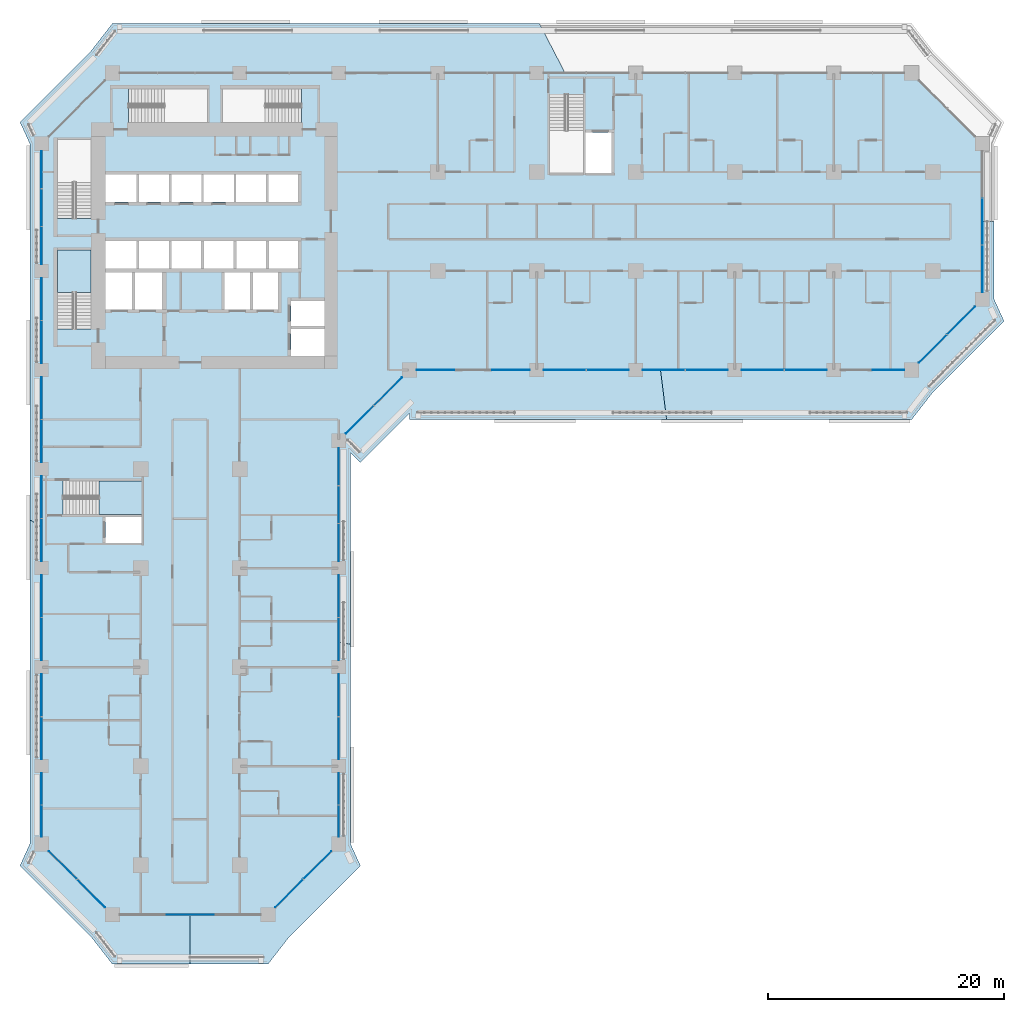
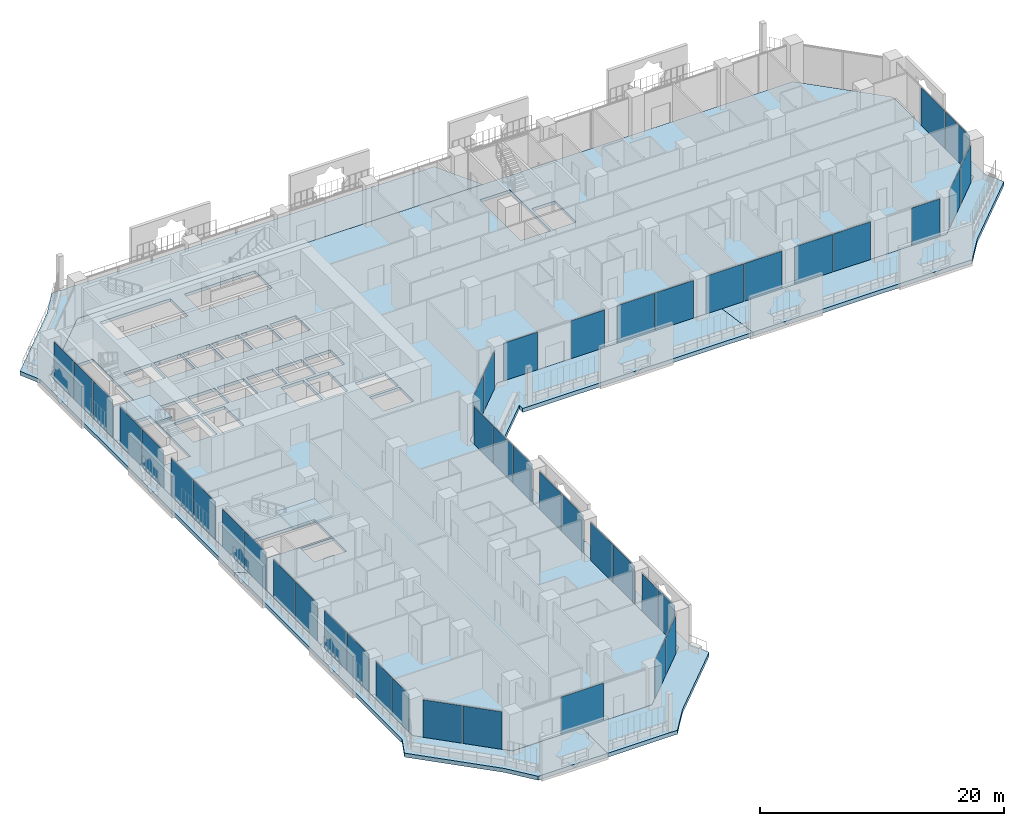
# One storey, part 11 of 27: 44 plates, 8 slabs, 11 elements without a shape of their own.
"""IFC4 building model written with IfcOpenShell, lengths in metres."""

from ifc_helpers import new_model, si_unit, direction, frame, origin, origin_2d, place, context, subcontext, project, spatial, polyline, rectangle, outline, extrude, material, layer, layer_set, type_object, element, aggregate, save


model = new_model("IFC4")

# Units and contexts
model_context = context("Model", 3, precision=1e-05, world=origin(), true_north=direction((0.0, 1.0)))
body_context = subcontext(model_context, "Body", "Model", "MODEL_VIEW")
ifc_project = project(units=[si_unit("LENGTHUNIT", "METRE"), si_unit("AREAUNIT", "SQUARE_METRE"), si_unit("VOLUMEUNIT", "CUBIC_METRE"), si_unit("PLANEANGLEUNIT", "RADIAN"), si_unit("MASSUNIT", "GRAM", prefix="KILO")], contexts=[model_context])

# Site, building, storey
site_placement = place(None, origin())
site = spatial("IfcSite", under=ifc_project, at=site_placement, CompositionType="ELEMENT")
building_placement = place(site_placement, origin())
building = spatial("IfcBuilding", under=site, at=building_placement, Name="Kawkab Arch Medical Tower", CompositionType="ELEMENT")
storey_placement = place(building_placement, frame((0.0, 0.0, 85.39990234375)))
storey = spatial("IfcBuildingStorey", under=building, at=storey_placement, Name="L19", CompositionType="ELEMENT", Elevation=85.39990234375)

# Curtain wall, plates
ifc_material_1 = material(Name="Bronze anodised aluminium curtain wall frame", Category="aluminium")
ifc_layer_1 = layer(ifc_material_1, 0.159912109375)
ifc_layer_set_1 = layer_set([ifc_layer_1], Name="Bronze anodised aluminium curtain wall frame")
curtain_wall_type_1 = type_object("IfcCurtainWallType", Name="CW1 ward curtain wall", PredefinedType="NOTDEFINED", material=ifc_layer_set_1)
placement_1 = place(storey_placement, origin())
curtain_wall_1 = element("IfcCurtainWall", 1, at=placement_1, inside=storey, type_object=curtain_wall_type_1, Name="CW1 Ward curtain wall R01", PredefinedType="NOTDEFINED")
ifc_material_2 = material(Name="Tinted insulating glass, bronze low-e coating", Category="glass")
ifc_layer_2 = layer(ifc_material_2, 0.031982421875)
ifc_layer_set_2 = layer_set([ifc_layer_2], Name="Tinted insulating glass, bronze low-e coating")
plate_type_1 = type_object("IfcPlateType", Name="CW1 glazing unit 32", PredefinedType="CURTAIN_PANEL", material=ifc_layer_set_2)
plate_1_placement = place(storey_placement, frame((0.0, -8.205810546875, 0.0), z_axis=(0.0, 0.0, 1.0), x_axis=(0.0, -1.0, 0.0)))
plate_1 = element("IfcPlate", 2, at=plate_1_placement, type_object=plate_type_1, Name="CW1 glazing unit 1.1", PredefinedType="CURTAIN_PANEL", context=body_context, shape_type="SweptSolid", body=[
    extrude(rectangle(XDim=3.16162109375, YDim=0.031982421875, at=origin_2d()), origin(), (0.0, 0.0, 1.0), 3.780029296875),
])
plate_2_placement = place(storey_placement, frame((0.0, -11.41259765625, 0.0), z_axis=(0.0, 0.0, 1.0), x_axis=(0.0, -1.0, 0.0)))
plate_2 = element("IfcPlate", 3, at=plate_2_placement, type_object=plate_type_1, Name="CW1 glazing unit 1.2", PredefinedType="CURTAIN_PANEL", context=body_context, shape_type="SweptSolid", body=[
    extrude(rectangle(XDim=3.131591796875, YDim=0.031982421875, at=origin_2d()), origin(), (0.0, 0.0, 1.0), 3.780029296875),
])
plate_3_placement = place(storey_placement, frame((0.0, -14.619140625, 0.0), z_axis=(0.0, 0.0, 1.0), x_axis=(0.0, -1.0, 0.0)))
plate_3 = element("IfcPlate", 4, at=plate_3_placement, type_object=plate_type_1, Name="CW1 glazing unit 1.3", PredefinedType="CURTAIN_PANEL", context=body_context, shape_type="SweptSolid", body=[
    extrude(rectangle(XDim=3.16162109375, YDim=0.031982421875, at=origin_2d()), origin(), (0.0, 0.0, 1.0), 3.780029296875),
])
plate_4_placement = place(storey_placement, frame((0.0, -19.18505859375, 0.0), z_axis=(0.0, 0.0, 1.0), x_axis=(0.0, -1.0, 0.0)))
plate_4 = element("IfcPlate", 5, at=plate_4_placement, type_object=plate_type_1, Name="CW1 glazing unit 2.1", PredefinedType="CURTAIN_PANEL", context=body_context, shape_type="SweptSolid", body=[
    extrude(rectangle(XDim=3.570068359375, YDim=0.031982421875, at=origin_2d()), origin(), (0.0, 0.0, 1.0), 3.780029296875),
])
plate_5_placement = place(storey_placement, frame((0.0, -22.81494140625, 0.0), z_axis=(0.0, 0.0, 1.0), x_axis=(0.0, -1.0, 0.0)))
plate_5 = element("IfcPlate", 6, at=plate_5_placement, type_object=plate_type_1, Name="CW1 glazing unit 2.2", PredefinedType="CURTAIN_PANEL", context=body_context, shape_type="SweptSolid", body=[
    extrude(rectangle(XDim=3.570068359375, YDim=0.031982421875, at=origin_2d()), origin(), (0.0, 0.0, 1.0), 3.780029296875),
])
plate_6_placement = place(storey_placement, frame((0.0, -27.5849609375, 0.0), z_axis=(0.0, 0.0, 1.0), x_axis=(0.0, -1.0, 0.0)))
plate_6 = element("IfcPlate", 7, at=plate_6_placement, type_object=plate_type_1, Name="CW1 glazing unit 3.1", PredefinedType="CURTAIN_PANEL", context=body_context, shape_type="SweptSolid", body=[
    extrude(rectangle(XDim=3.570068359375, YDim=0.031982421875, at=origin_2d()), origin(), (0.0, 0.0, 1.0), 3.780029296875),
])
plate_7_placement = place(storey_placement, frame((0.0, -31.215087890625, 0.0), z_axis=(0.0, 0.0, 1.0), x_axis=(0.0, -1.0, 0.0)))
plate_7 = element("IfcPlate", 8, at=plate_7_placement, type_object=plate_type_1, Name="CW1 glazing unit 3.2", PredefinedType="CURTAIN_PANEL", context=body_context, shape_type="SweptSolid", body=[
    extrude(rectangle(XDim=3.570068359375, YDim=0.031982421875, at=origin_2d()), origin(), (0.0, 0.0, 1.0), 3.780029296875),
])
plate_8_placement = place(storey_placement, frame((0.0, -35.985107421875, 0.0), z_axis=(0.0, 0.0, 1.0), x_axis=(0.0, -1.0, 0.0)))
plate_8 = element("IfcPlate", 9, at=plate_8_placement, type_object=plate_type_1, Name="CW1 glazing unit 4.1", PredefinedType="CURTAIN_PANEL", context=body_context, shape_type="SweptSolid", body=[
    extrude(rectangle(XDim=3.570068359375, YDim=0.031982421875, at=origin_2d()), origin(), (0.0, 0.0, 1.0), 3.780029296875),
])
plate_9_placement = place(storey_placement, frame((0.0, -39.614990234375, 0.0), z_axis=(0.0, 0.0, 1.0), x_axis=(0.0, -1.0, 0.0)))
plate_9 = element("IfcPlate", 10, at=plate_9_placement, type_object=plate_type_1, Name="CW1 glazing unit 4.2", PredefinedType="CURTAIN_PANEL", context=body_context, shape_type="SweptSolid", body=[
    extrude(rectangle(XDim=3.570068359375, YDim=0.031982421875, at=origin_2d()), origin(), (0.0, 0.0, 1.0), 3.780029296875),
])
plate_10_placement = place(storey_placement, frame((0.0, -44.385009765625, 0.0), z_axis=(0.0, 0.0, 1.0), x_axis=(0.0, -1.0, 0.0)))
plate_10 = element("IfcPlate", 11, at=plate_10_placement, type_object=plate_type_1, Name="CW1 glazing unit 5.1", PredefinedType="CURTAIN_PANEL", context=body_context, shape_type="SweptSolid", body=[
    extrude(rectangle(XDim=3.570068359375, YDim=0.031982421875, at=origin_2d()), origin(), (0.0, 0.0, 1.0), 3.780029296875),
])
plate_11_placement = place(storey_placement, frame((0.0, -48.014892578125, 0.0), z_axis=(0.0, 0.0, 1.0), x_axis=(0.0, -1.0, 0.0)))
plate_11 = element("IfcPlate", 12, at=plate_11_placement, type_object=plate_type_1, Name="CW1 glazing unit 5.2", PredefinedType="CURTAIN_PANEL", context=body_context, shape_type="SweptSolid", body=[
    extrude(rectangle(XDim=3.570068359375, YDim=0.031982421875, at=origin_2d()), origin(), (0.0, 0.0, 1.0), 3.780029296875),
])
plate_12_placement = place(storey_placement, frame((0.0, -52.784912109375, 0.0), z_axis=(0.0, 0.0, 1.0), x_axis=(0.0, -1.0, 0.0)))
plate_12 = element("IfcPlate", 13, at=plate_12_placement, type_object=plate_type_1, Name="CW1 glazing unit 6.1", PredefinedType="CURTAIN_PANEL", context=body_context, shape_type="SweptSolid", body=[
    extrude(rectangle(XDim=3.570068359375, YDim=0.031982421875, at=origin_2d()), origin(), (0.0, 0.0, 1.0), 3.780029296875),
])
plate_13_placement = place(storey_placement, frame((0.0, -56.4150390625, 0.0), z_axis=(0.0, 0.0, 1.0), x_axis=(0.0, -1.0, 0.0)))
plate_13 = element("IfcPlate", 14, at=plate_13_placement, type_object=plate_type_1, Name="CW1 glazing unit 6.2", PredefinedType="CURTAIN_PANEL", context=body_context, shape_type="SweptSolid", body=[
    extrude(rectangle(XDim=3.570068359375, YDim=0.031982421875, at=origin_2d()), origin(), (0.0, 0.0, 1.0), 3.780029296875),
])
plate_14_placement = place(storey_placement, frame((0.0, -60.728759765625, 0.0), z_axis=(0.0, 0.0, 1.0), x_axis=(0.0, -1.0, 0.0)))
plate_14 = element("IfcPlate", 15, at=plate_14_placement, type_object=plate_type_1, Name="CW1 glazing unit 7.1", PredefinedType="CURTAIN_PANEL", context=body_context, shape_type="SweptSolid", body=[
    extrude(rectangle(XDim=2.657470703125, YDim=0.031982421875, at=origin_2d()), origin(), (0.0, 0.0, 1.0), 3.780029296875),
])
plate_15_placement = place(storey_placement, frame((0.0, -63.4462890625, 0.0), z_axis=(0.0, 0.0, 1.0), x_axis=(0.0, -1.0, 0.0)))
plate_15 = element("IfcPlate", 16, at=plate_15_placement, type_object=plate_type_1, Name="CW1 glazing unit 7.2", PredefinedType="CURTAIN_PANEL", context=body_context, shape_type="SweptSolid", body=[
    extrude(rectangle(XDim=2.657470703125, YDim=0.031982421875, at=origin_2d()), origin(), (0.0, 0.0, 1.0), 3.780029296875),
])
aggregate(curtain_wall_1, [plate_1, plate_2, plate_3, plate_4, plate_5, plate_6, plate_7, plate_8, plate_9, plate_10, plate_11, plate_12, plate_13, plate_14, plate_15])

# Curtain wall, plate
curtain_wall_2 = element("IfcCurtainWall", 17, at=placement_1, inside=storey, type_object=curtain_wall_type_1, Name="CW1 Ward curtain wall R03", PredefinedType="NOTDEFINED")
plate_16_placement = place(storey_placement, frame((12.60009765625, -71.39990234375, 0.0), z_axis=(0.0, 0.0, 1.0), x_axis=(1.0, 0.0, 0.0)))
plate_16 = element("IfcPlate", 18, at=plate_16_placement, type_object=plate_type_1, Name="CW1 glazing unit 1.2", PredefinedType="CURTAIN_PANEL", context=body_context, shape_type="SweptSolid", body=[
    extrude(rectangle(XDim=3.9833984375, YDim=0.031982421875, at=origin_2d()), origin(), (0.0, 0.0, 1.0), 3.780029296875),
])
aggregate(curtain_wall_2, [plate_16])

# Curtain wall, plates
curtain_wall_3 = element("IfcCurtainWall", 19, at=placement_1, inside=storey, type_object=curtain_wall_type_1, Name="CW1 Ward curtain wall R05", PredefinedType="NOTDEFINED")
plate_17_placement = place(storey_placement, frame((25.199951171875, -63.4462890625, 0.0), z_axis=(0.0, 0.0, 1.0), x_axis=(0.0, 1.0, 0.0)))
plate_17 = element("IfcPlate", 20, at=plate_17_placement, type_object=plate_type_1, Name="CW1 glazing unit 1.1", PredefinedType="CURTAIN_PANEL", context=body_context, shape_type="SweptSolid", body=[
    extrude(rectangle(XDim=2.657470703125, YDim=0.031982421875, at=origin_2d()), origin(), (0.0, 0.0, 1.0), 3.780029296875),
])
plate_18_placement = place(storey_placement, frame((25.199951171875, -60.728759765625, 0.0), z_axis=(0.0, 0.0, 1.0), x_axis=(0.0, 1.0, 0.0)))
plate_18 = element("IfcPlate", 21, at=plate_18_placement, type_object=plate_type_1, Name="CW1 glazing unit 1.2", PredefinedType="CURTAIN_PANEL", context=body_context, shape_type="SweptSolid", body=[
    extrude(rectangle(XDim=2.657470703125, YDim=0.031982421875, at=origin_2d()), origin(), (0.0, 0.0, 1.0), 3.780029296875),
])
plate_19_placement = place(storey_placement, frame((25.199951171875, -56.4150390625, 0.0), z_axis=(0.0, 0.0, 1.0), x_axis=(0.0, 1.0, 0.0)))
plate_19 = element("IfcPlate", 22, at=plate_19_placement, type_object=plate_type_1, Name="CW1 glazing unit 2.1", PredefinedType="CURTAIN_PANEL", context=body_context, shape_type="SweptSolid", body=[
    extrude(rectangle(XDim=3.570068359375, YDim=0.031982421875, at=origin_2d()), origin(), (0.0, 0.0, 1.0), 3.780029296875),
])
plate_20_placement = place(storey_placement, frame((25.199951171875, -52.784912109375, 0.0), z_axis=(0.0, 0.0, 1.0), x_axis=(0.0, 1.0, 0.0)))
plate_20 = element("IfcPlate", 23, at=plate_20_placement, type_object=plate_type_1, Name="CW1 glazing unit 2.2", PredefinedType="CURTAIN_PANEL", context=body_context, shape_type="SweptSolid", body=[
    extrude(rectangle(XDim=3.570068359375, YDim=0.031982421875, at=origin_2d()), origin(), (0.0, 0.0, 1.0), 3.780029296875),
])
plate_21_placement = place(storey_placement, frame((25.199951171875, -48.014892578125, 0.0), z_axis=(0.0, 0.0, 1.0), x_axis=(0.0, 1.0, 0.0)))
plate_21 = element("IfcPlate", 24, at=plate_21_placement, type_object=plate_type_1, Name="CW1 glazing unit 3.1", PredefinedType="CURTAIN_PANEL", context=body_context, shape_type="SweptSolid", body=[
    extrude(rectangle(XDim=3.570068359375, YDim=0.031982421875, at=origin_2d()), origin(), (0.0, 0.0, 1.0), 3.780029296875),
])
plate_22_placement = place(storey_placement, frame((25.199951171875, -44.385009765625, 0.0), z_axis=(0.0, 0.0, 1.0), x_axis=(0.0, 1.0, 0.0)))
plate_22 = element("IfcPlate", 25, at=plate_22_placement, type_object=plate_type_1, Name="CW1 glazing unit 3.2", PredefinedType="CURTAIN_PANEL", context=body_context, shape_type="SweptSolid", body=[
    extrude(rectangle(XDim=3.570068359375, YDim=0.031982421875, at=origin_2d()), origin(), (0.0, 0.0, 1.0), 3.780029296875),
])
plate_23_placement = place(storey_placement, frame((25.199951171875, -39.819091796875, 0.0), z_axis=(0.0, 0.0, 1.0), x_axis=(0.0, 1.0, 0.0)))
plate_23 = element("IfcPlate", 26, at=plate_23_placement, type_object=plate_type_1, Name="CW1 glazing unit 4.1", PredefinedType="CURTAIN_PANEL", context=body_context, shape_type="SweptSolid", body=[
    extrude(rectangle(XDim=3.16162109375, YDim=0.031982421875, at=origin_2d()), origin(), (0.0, 0.0, 1.0), 3.780029296875),
])
plate_24_placement = place(storey_placement, frame((25.199951171875, -36.612548828125, 0.0), z_axis=(0.0, 0.0, 1.0), x_axis=(0.0, 1.0, 0.0)))
plate_24 = element("IfcPlate", 27, at=plate_24_placement, type_object=plate_type_1, Name="CW1 glazing unit 4.2", PredefinedType="CURTAIN_PANEL", context=body_context, shape_type="SweptSolid", body=[
    extrude(rectangle(XDim=3.131591796875, YDim=0.031982421875, at=origin_2d()), origin(), (0.0, 0.0, 1.0), 3.780029296875),
])
plate_25_placement = place(storey_placement, frame((25.199951171875, -33.40576171875, 0.0), z_axis=(0.0, 0.0, 1.0), x_axis=(0.0, 1.0, 0.0)))
plate_25 = element("IfcPlate", 28, at=plate_25_placement, type_object=plate_type_1, Name="CW1 glazing unit 4.3", PredefinedType="CURTAIN_PANEL", context=body_context, shape_type="SweptSolid", body=[
    extrude(rectangle(XDim=3.16162109375, YDim=0.031982421875, at=origin_2d()), origin(), (0.0, 0.0, 1.0), 3.780029296875),
])
aggregate(curtain_wall_3, [plate_17, plate_18, plate_19, plate_20, plate_21, plate_22, plate_23, plate_24, plate_25])

curtain_wall_4 = element("IfcCurtainWall", 29, at=placement_1, inside=storey, type_object=curtain_wall_type_1, Name="CW1 Ward curtain wall R07", PredefinedType="NOTDEFINED")
plate_26_placement = place(storey_placement, frame((33.4208984375, -25.199951171875, 0.0), z_axis=(0.0, 0.0, 1.0), x_axis=(1.0, 0.0, 0.0)))
plate_26 = element("IfcPlate", 30, at=plate_26_placement, type_object=plate_type_1, Name="CW1 glazing unit 1.1", PredefinedType="CURTAIN_PANEL", context=body_context, shape_type="SweptSolid", body=[
    extrude(rectangle(XDim=3.191650390625, YDim=0.031982421875, at=origin_2d()), origin(), (0.0, 0.0, 1.0), 3.780029296875),
])
plate_27_placement = place(storey_placement, frame((39.80419921875, -25.199951171875, 0.0), z_axis=(0.0, 0.0, 1.0), x_axis=(1.0, 0.0, 0.0)))
plate_27 = element("IfcPlate", 31, at=plate_27_placement, type_object=plate_type_1, Name="CW1 glazing unit 1.3", PredefinedType="CURTAIN_PANEL", context=body_context, shape_type="SweptSolid", body=[
    extrude(rectangle(XDim=3.191650390625, YDim=0.031982421875, at=origin_2d()), origin(), (0.0, 0.0, 1.0), 3.780029296875),
])
plate_28_placement = place(storey_placement, frame((44.385009765625, -25.199951171875, 0.0), z_axis=(0.0, 0.0, 1.0), x_axis=(1.0, 0.0, 0.0)))
plate_28 = element("IfcPlate", 32, at=plate_28_placement, type_object=plate_type_1, Name="CW1 glazing unit 2.1", PredefinedType="CURTAIN_PANEL", context=body_context, shape_type="SweptSolid", body=[
    extrude(rectangle(XDim=3.570068359375, YDim=0.031982421875, at=origin_2d()), origin(), (0.0, 0.0, 1.0), 3.780029296875),
])
plate_29_placement = place(storey_placement, frame((48.014892578125, -25.199951171875, 0.0), z_axis=(0.0, 0.0, 1.0), x_axis=(1.0, 0.0, 0.0)))
plate_29 = element("IfcPlate", 33, at=plate_29_placement, type_object=plate_type_1, Name="CW1 glazing unit 2.2", PredefinedType="CURTAIN_PANEL", context=body_context, shape_type="SweptSolid", body=[
    extrude(rectangle(XDim=3.570068359375, YDim=0.031982421875, at=origin_2d()), origin(), (0.0, 0.0, 1.0), 3.780029296875),
])
plate_30_placement = place(storey_placement, frame((52.784912109375, -25.199951171875, 0.0), z_axis=(0.0, 0.0, 1.0), x_axis=(1.0, 0.0, 0.0)))
plate_30 = element("IfcPlate", 34, at=plate_30_placement, type_object=plate_type_1, Name="CW1 glazing unit 3.1", PredefinedType="CURTAIN_PANEL", context=body_context, shape_type="SweptSolid", body=[
    extrude(rectangle(XDim=3.570068359375, YDim=0.031982421875, at=origin_2d()), origin(), (0.0, 0.0, 1.0), 3.780029296875),
])
plate_31_placement = place(storey_placement, frame((56.4150390625, -25.199951171875, 0.0), z_axis=(0.0, 0.0, 1.0), x_axis=(1.0, 0.0, 0.0)))
plate_31 = element("IfcPlate", 35, at=plate_31_placement, type_object=plate_type_1, Name="CW1 glazing unit 3.2", PredefinedType="CURTAIN_PANEL", context=body_context, shape_type="SweptSolid", body=[
    extrude(rectangle(XDim=3.570068359375, YDim=0.031982421875, at=origin_2d()), origin(), (0.0, 0.0, 1.0), 3.780029296875),
])
plate_32_placement = place(storey_placement, frame((61.18505859375, -25.199951171875, 0.0), z_axis=(0.0, 0.0, 1.0), x_axis=(1.0, 0.0, 0.0)))
plate_32 = element("IfcPlate", 36, at=plate_32_placement, type_object=plate_type_1, Name="CW1 glazing unit 4.1", PredefinedType="CURTAIN_PANEL", context=body_context, shape_type="SweptSolid", body=[
    extrude(rectangle(XDim=3.570068359375, YDim=0.031982421875, at=origin_2d()), origin(), (0.0, 0.0, 1.0), 3.780029296875),
])
plate_33_placement = place(storey_placement, frame((64.81494140625, -25.199951171875, 0.0), z_axis=(0.0, 0.0, 1.0), x_axis=(1.0, 0.0, 0.0)))
plate_33 = element("IfcPlate", 37, at=plate_33_placement, type_object=plate_type_1, Name="CW1 glazing unit 4.2", PredefinedType="CURTAIN_PANEL", context=body_context, shape_type="SweptSolid", body=[
    extrude(rectangle(XDim=3.570068359375, YDim=0.031982421875, at=origin_2d()), origin(), (0.0, 0.0, 1.0), 3.780029296875),
])
plate_34_placement = place(storey_placement, frame((71.831298828125, -25.199951171875, 0.0), z_axis=(0.0, 0.0, 1.0), x_axis=(1.0, 0.0, 0.0)))
plate_34 = element("IfcPlate", 38, at=plate_34_placement, type_object=plate_type_1, Name="CW1 glazing unit 5.2", PredefinedType="CURTAIN_PANEL", context=body_context, shape_type="SweptSolid", body=[
    extrude(rectangle(XDim=2.6875, YDim=0.031982421875, at=origin_2d()), origin(), (0.0, 0.0, 1.0), 3.780029296875),
])
aggregate(curtain_wall_4, [plate_26, plate_27, plate_28, plate_29, plate_30, plate_31, plate_32, plate_33, plate_34])

curtain_wall_5 = element("IfcCurtainWall", 39, at=placement_1, inside=storey, type_object=curtain_wall_type_1, Name="CW1 Ward curtain wall R09", PredefinedType="NOTDEFINED")
plate_35_placement = place(storey_placement, frame((79.800048828125, -16.598388671875, 0.0), z_axis=(0.0, 0.0, 1.0), x_axis=(0.0, 1.0, 0.0)))
plate_35 = element("IfcPlate", 40, at=plate_35_placement, type_object=plate_type_1, Name="CW1 glazing unit 1.1", PredefinedType="CURTAIN_PANEL", context=body_context, shape_type="SweptSolid", body=[
    extrude(rectangle(XDim=3.953369140625, YDim=0.031982421875, at=origin_2d()), origin(), (0.0, 0.0, 1.0), 3.780029296875),
])
plate_36_placement = place(storey_placement, frame((79.800048828125, -12.60009765625, 0.0), z_axis=(0.0, 0.0, 1.0), x_axis=(0.0, 1.0, 0.0)))
plate_36 = element("IfcPlate", 41, at=plate_36_placement, type_object=plate_type_1, Name="CW1 glazing unit 1.2", PredefinedType="CURTAIN_PANEL", context=body_context, shape_type="SweptSolid", body=[
    extrude(rectangle(XDim=3.92333984375, YDim=0.031982421875, at=origin_2d()), origin(), (0.0, 0.0, 1.0), 3.780029296875),
])
aggregate(curtain_wall_5, [plate_35, plate_36])

ifc_material_3 = material(Name="Bronze anodised aluminium curtain wall frame", Category="aluminium")
ifc_layer_3 = layer(ifc_material_3, 0.159912109375)
ifc_layer_set_3 = layer_set([ifc_layer_3], Name="Bronze anodised aluminium curtain wall frame")
curtain_wall_type_2 = type_object("IfcCurtainWallType", Name="CW2 chamfer curtain wall", PredefinedType="NOTDEFINED", material=ifc_layer_set_3)
curtain_wall_6 = element("IfcCurtainWall", 42, at=placement_1, inside=storey, type_object=curtain_wall_type_2, Name="CW2 Chamfer curtain wall R02", PredefinedType="NOTDEFINED")
ifc_material_4 = material(Name="Tinted insulating glass, bronze low-e coating", Category="glass")
ifc_layer_4 = layer(ifc_material_4, 0.031982421875)
ifc_layer_set_4 = layer_set([ifc_layer_4], Name="Tinted insulating glass, bronze low-e coating")
plate_type_2 = type_object("IfcPlateType", Name="CW2 glazing unit 32", PredefinedType="CURTAIN_PANEL", material=ifc_layer_set_4)
plate_37_placement = place(storey_placement, frame((1.802001953125, -67.201904296875, 0.0), z_axis=(0.0, 0.0, 1.0), x_axis=(0.707106781187, -0.707106781187, 0.0)))
plate_37 = element("IfcPlate", 43, at=plate_37_placement, type_object=plate_type_2, Name="CW2 glazing unit 1.1", PredefinedType="CURTAIN_PANEL", context=body_context, shape_type="SweptSolid", body=[
    extrude(rectangle(XDim=3.328857421875, YDim=0.031982421875, at=origin_2d()), origin(), (0.0, 0.0, 1.0), 3.760009765625),
])
plate_38_placement = place(storey_placement, frame((4.197998046875, -69.59814453125, 0.0), z_axis=(0.0, 0.0, 1.0), x_axis=(0.707106781187, -0.707106781187, 0.0)))
plate_38 = element("IfcPlate", 44, at=plate_38_placement, type_object=plate_type_2, Name="CW2 glazing unit 1.2", PredefinedType="CURTAIN_PANEL", context=body_context, shape_type="SweptSolid", body=[
    extrude(rectangle(XDim=3.328857421875, YDim=0.031982421875, at=origin_2d()), origin(), (0.0, 0.0, 1.0), 3.760009765625),
])
aggregate(curtain_wall_6, [plate_37, plate_38])

curtain_wall_7 = element("IfcCurtainWall", 45, at=placement_1, inside=storey, type_object=curtain_wall_type_2, Name="CW2 Chamfer curtain wall R04", PredefinedType="NOTDEFINED")
plate_39_placement = place(storey_placement, frame((21.001953125, -69.59814453125, 0.0), z_axis=(0.0, 0.0, 1.0), x_axis=(0.707106781187, 0.707106781187, 0.0)))
plate_39 = element("IfcPlate", 46, at=plate_39_placement, type_object=plate_type_2, Name="CW2 glazing unit 1.1", PredefinedType="CURTAIN_PANEL", context=body_context, shape_type="SweptSolid", body=[
    extrude(rectangle(XDim=3.328857421875, YDim=0.031982421875, at=origin_2d()), origin(), (0.0, 0.0, 1.0), 3.760009765625),
])
plate_40_placement = place(storey_placement, frame((23.398193359375, -67.201904296875, 0.0), z_axis=(0.0, 0.0, 1.0), x_axis=(0.707106781187, 0.707106781187, 0.0)))
plate_40 = element("IfcPlate", 47, at=plate_40_placement, type_object=plate_type_2, Name="CW2 glazing unit 1.2", PredefinedType="CURTAIN_PANEL", context=body_context, shape_type="SweptSolid", body=[
    extrude(rectangle(XDim=3.328857421875, YDim=0.031982421875, at=origin_2d()), origin(), (0.0, 0.0, 1.0), 3.760009765625),
])
aggregate(curtain_wall_7, [plate_39, plate_40])

curtain_wall_8 = element("IfcCurtainWall", 48, at=placement_1, inside=storey, type_object=curtain_wall_type_2, Name="CW2 Chamfer curtain wall R06", PredefinedType="NOTDEFINED")
plate_41_placement = place(storey_placement, frame((27.001953125, -29.398193359375, 0.0), z_axis=(0.0, 0.0, 1.0), x_axis=(0.707106781187, 0.707106781187, 0.0)))
plate_41 = element("IfcPlate", 49, at=plate_41_placement, type_object=plate_type_2, Name="CW2 glazing unit 1.1", PredefinedType="CURTAIN_PANEL", context=body_context, shape_type="SweptSolid", body=[
    extrude(rectangle(XDim=3.328857421875, YDim=0.031982421875, at=origin_2d()), origin(), (0.0, 0.0, 1.0), 3.760009765625),
])
plate_42_placement = place(storey_placement, frame((29.398193359375, -27.001953125, 0.0), z_axis=(0.0, 0.0, 1.0), x_axis=(0.707106781187, 0.707106781187, 0.0)))
plate_42 = element("IfcPlate", 50, at=plate_42_placement, type_object=plate_type_2, Name="CW2 glazing unit 1.2", PredefinedType="CURTAIN_PANEL", context=body_context, shape_type="SweptSolid", body=[
    extrude(rectangle(XDim=3.328857421875, YDim=0.031982421875, at=origin_2d()), origin(), (0.0, 0.0, 1.0), 3.760009765625),
])
aggregate(curtain_wall_8, [plate_41, plate_42])

curtain_wall_9 = element("IfcCurtainWall", 51, at=placement_1, inside=storey, type_object=curtain_wall_type_2, Name="CW2 Chamfer curtain wall R08", PredefinedType="NOTDEFINED")
plate_43_placement = place(storey_placement, frame((75.601806640625, -23.398193359375, 0.0), z_axis=(0.0, 0.0, 1.0), x_axis=(0.707106781187, 0.707106781187, 0.0)))
plate_43 = element("IfcPlate", 52, at=plate_43_placement, type_object=plate_type_2, Name="CW2 glazing unit 1.1", PredefinedType="CURTAIN_PANEL", context=body_context, shape_type="SweptSolid", body=[
    extrude(rectangle(XDim=3.328857421875, YDim=0.031982421875, at=origin_2d()), origin(), (0.0, 0.0, 1.0), 3.760009765625),
])
plate_44_placement = place(storey_placement, frame((77.998046875, -21.001953125, 0.0), z_axis=(0.0, 0.0, 1.0), x_axis=(0.707106781187, 0.707106781187, 0.0)))
plate_44 = element("IfcPlate", 53, at=plate_44_placement, type_object=plate_type_2, Name="CW2 glazing unit 1.2", PredefinedType="CURTAIN_PANEL", context=body_context, shape_type="SweptSolid", body=[
    extrude(rectangle(XDim=3.328857421875, YDim=0.031982421875, at=origin_2d()), origin(), (0.0, 0.0, 1.0), 3.760009765625),
])
aggregate(curtain_wall_9, [plate_43, plate_44])

# Stair, slab
ifc_material_5 = material(Name="Concrete C40/50", Category="concrete")
stair_type = type_object("IfcStairType", Name="Exit stair 1350", PredefinedType="HALF_TURN_STAIR", material=ifc_material_5)
stair_1 = element("IfcStair", 54, at=placement_1, inside=storey, type_object=stair_type, Name="L19 Exit stair ST2", PredefinedType="HALF_TURN_STAIR")
ifc_material_6 = material(Name="Concrete C40/50", Category="concrete")
ifc_layer_5 = layer(ifc_material_6, 0.199951171875)
ifc_layer_set_5 = layer_set([ifc_layer_5], Name="Concrete C40/50")
slab_type_1 = type_object("IfcSlabType", Name="Exit stair landing 200", PredefinedType="LANDING", material=ifc_layer_set_5)
placement_2 = place(storey_placement, frame((0.0, 0.0, 1.900146484375)))
slab_1 = element("IfcSlab", 55, at=placement_2, type_object=slab_type_1, Name="ST2 landing 1", PredefinedType="LANDING", context=body_context, shape_type="SweptSolid", body=[
    extrude(outline(polyline([(4.199951171875, -18.6201171875), (4.199951171875, -15.0), (1.35009765625, -15.0), (1.35009765625, -18.6201171875), (4.199951171875, -18.6201171875)])), origin(), (0.0, 0.0, 1.0), 0.199951171875),
])
aggregate(stair_1, [slab_1])

stair_2 = element("IfcStair", 56, at=placement_1, inside=storey, type_object=stair_type, Name="L19 Exit stair ST6", PredefinedType="HALF_TURN_STAIR")
slab_2 = element("IfcSlab", 57, at=placement_2, type_object=slab_type_1, Name="ST6 landing 1", PredefinedType="LANDING", context=body_context, shape_type="SweptSolid", body=[
    extrude(outline(polyline([(4.8798828125, -37.449951171875), (8.5, -37.449951171875), (8.5, -34.60009765625), (4.8798828125, -34.60009765625), (4.8798828125, -37.449951171875)])), origin(), (0.0, 0.0, 1.0), 0.199951171875),
])
aggregate(stair_2, [slab_2])

# Slabs
ifc_material_7 = material(Name="Concrete C40/50", Category="concrete")
ifc_layer_6 = layer(ifc_material_7, 0.300048828125)
ifc_layer_set_6 = layer_set([ifc_layer_6], Name="Concrete C40/50")
slab_type_2 = type_object("IfcSlabType", Name="Flat plate 300 C40/50", PredefinedType="FLOOR", material=ifc_layer_set_6)
slab_3_placement = place(storey_placement, frame((0.0, 0.0, -0.2998046875)))
element("IfcSlab", 58, at=slab_3_placement, inside=storey, type_object=slab_type_2, Name="Floor slab L19", PredefinedType="FLOOR", context=body_context, shape_type="SweptSolid", body=[
    extrude(outline(polyline([(6.0, 0.0), (73.800048828125, 0.0), (79.800048828125, -6.0), (79.800048828125, -19.199951171875), (73.800048828125, -25.199951171875), (31.199951171875, -25.199951171875), (25.199951171875, -31.199951171875), (25.199951171875, -65.39990234375), (19.199951171875, -71.39990234375), (6.0, -71.39990234375), (0.0, -65.39990234375), (0.0, -6.0), (6.0, 0.0)]), holes=[polyline([(5.425048828125, -37.64990234375), (5.425048828125, -39.85009765625), (8.5, -39.85009765625), (8.5, -37.64990234375), (5.425048828125, -37.64990234375)]), polyline([(1.800048828125, -37.449951171875), (8.5, -37.449951171875), (8.5, -34.60009765625), (1.800048828125, -34.60009765625), (1.800048828125, -37.449951171875)]), polyline([(5.39990234375, -16.89990234375), (5.39990234375, -20.050048828125), (7.675048828125, -20.050048828125), (7.675048828125, -16.89990234375), (5.39990234375, -16.89990234375)]), polyline([(10.199951171875, -16.89990234375), (7.925048828125, -16.89990234375), (7.925048828125, -20.050048828125), (10.199951171875, -20.050048828125), (10.199951171875, -16.89990234375)]), polyline([(4.199951171875, -21.699951171875), (4.199951171875, -15.0), (1.35009765625, -15.0), (1.35009765625, -21.699951171875), (4.199951171875, -21.699951171875)]), polyline([(5.39990234375, -14.25), (5.39990234375, -16.60009765625), (8.050048828125, -16.60009765625), (8.050048828125, -14.25), (5.39990234375, -14.25)]), polyline([(10.800048828125, -14.25), (8.25, -14.25), (8.25, -16.60009765625), (10.800048828125, -16.60009765625), (10.800048828125, -14.25)]), polyline([(11.0, -14.25), (11.0, -16.60009765625), (13.52490234375, -16.60009765625), (13.52490234375, -14.25), (11.0, -14.25)]), polyline([(5.39990234375, -8.60009765625), (5.39990234375, -10.949951171875), (8.050048828125, -10.949951171875), (8.050048828125, -8.60009765625), (5.39990234375, -8.60009765625)]), polyline([(10.800048828125, -8.60009765625), (8.25, -8.60009765625), (8.25, -10.949951171875), (10.800048828125, -10.949951171875), (10.800048828125, -8.60009765625)]), polyline([(11.0, -10.949951171875), (13.550048828125, -10.949951171875), (13.550048828125, -8.60009765625), (11.0, -8.60009765625), (11.0, -10.949951171875)]), polyline([(4.199951171875, -12.35009765625), (4.199951171875, -5.64990234375), (1.35009765625, -5.64990234375), (1.35009765625, -12.35009765625), (4.199951171875, -12.35009765625)]), polyline([(7.35009765625, -4.199951171875), (14.050048828125, -4.199951171875), (14.050048828125, -1.35009765625), (7.35009765625, -1.35009765625), (7.35009765625, -4.199951171875)]), polyline([(24.0, -21.72509765625), (21.14990234375, -21.72509765625), (21.14990234375, -24.0), (24.0, -24.0), (24.0, -21.72509765625)]), polyline([(24.0, -21.47509765625), (24.0, -19.35009765625), (21.14990234375, -19.35009765625), (21.14990234375, -21.47509765625), (24.0, -21.47509765625)]), polyline([(15.52490234375, -16.89990234375), (15.52490234375, -20.050048828125), (17.675048828125, -20.050048828125), (17.675048828125, -16.89990234375), (15.52490234375, -16.89990234375)]), polyline([(17.925048828125, -20.050048828125), (20.050048828125, -20.050048828125), (20.050048828125, -16.89990234375), (17.925048828125, -16.89990234375), (17.925048828125, -20.050048828125)]), polyline([(16.27490234375, -14.25), (13.77490234375, -14.25), (13.77490234375, -16.60009765625), (16.27490234375, -16.60009765625), (16.27490234375, -14.25)]), polyline([(19.02490234375, -14.25), (16.52490234375, -14.25), (16.52490234375, -16.60009765625), (19.02490234375, -16.60009765625), (19.02490234375, -14.25)]), polyline([(19.27490234375, -16.60009765625), (21.75, -16.60009765625), (21.75, -14.25), (19.27490234375, -14.25), (19.27490234375, -16.60009765625)]), polyline([(13.75, -8.60009765625), (13.75, -10.949951171875), (16.300048828125, -10.949951171875), (16.300048828125, -8.60009765625), (13.75, -8.60009765625)]), polyline([(16.5, -8.60009765625), (16.5, -10.949951171875), (19.050048828125, -10.949951171875), (19.050048828125, -8.60009765625), (16.5, -8.60009765625)]), polyline([(19.25, -10.949951171875), (21.75, -10.949951171875), (21.75, -8.60009765625), (19.25, -8.60009765625), (19.25, -10.949951171875)]), polyline([(46.14990234375, -5.02490234375), (46.14990234375, -8.5), (48.35009765625, -8.5), (48.35009765625, -5.02490234375), (46.14990234375, -5.02490234375)]), polyline([(43.10009765625, -1.800048828125), (43.10009765625, -8.5), (45.949951171875, -8.5), (45.949951171875, -1.800048828125), (43.10009765625, -1.800048828125)]), polyline([(22.050048828125, -1.35009765625), (15.35009765625, -1.35009765625), (15.35009765625, -4.199951171875), (22.050048828125, -4.199951171875), (22.050048828125, -1.35009765625)])]), origin(), (0.0, 0.0, 1.0), 0.2998046875),
])
ifc_material_8 = material(Name="Concrete C40/50", Category="concrete")
ifc_layer_7 = layer(ifc_material_8, 0.39990234375)
ifc_layer_set_7 = layer_set([ifc_layer_7], Name="Concrete C40/50")
slab_type_3 = type_object("IfcSlabType", Name="Loggia slab 400", PredefinedType="FLOOR", material=ifc_layer_set_7)
placement_3 = place(storey_placement, frame((0.0, 0.0, -0.39990234375)))
element("IfcSlab", 59, at=placement_3, inside=storey, type_object=slab_type_3, Name="Loggia slab L19.1", PredefinedType="FLOOR", context=body_context, shape_type="SweptSolid", body=[
    extrude(outline(polyline([(12.60009765625, -75.60009765625), (12.60009765625, -71.40087890625), (19.199951171875, -71.40087890625), (19.199951171875, -71.39990234375), (25.199951171875, -65.39990234375), (25.199951171875, -48.300048828125), (26.199951171875, -48.449951171875), (26.199951171875, -65.39990234375), (27.0380859375, -67.238037109375), (21.0380859375, -73.238037109375), (19.199951171875, -75.60009765625), (12.60009765625, -75.60009765625)])), origin(), (0.0, 0.0, 1.0), 0.39990234375),
])
element("IfcSlab", 60, at=placement_3, inside=storey, type_object=slab_type_3, Name="Loggia slab L19.2", PredefinedType="FLOOR", context=body_context, shape_type="SweptSolid", body=[
    extrude(outline(polyline([(4.162109375, -73.238037109375), (-1.837890625, -67.238037109375), (-1.0, -65.39990234375), (-1.0, -37.89501953125), (-0.0009765625, -38.52001953125), (-0.0009765625, -65.39990234375), (0.0, -65.39990234375), (6.0, -71.39990234375), (6.0, -71.40087890625), (12.60009765625, -71.40087890625), (12.60009765625, -75.60009765625), (6.0, -75.60009765625), (4.162109375, -73.238037109375)])), origin(), (0.0, 0.0, 1.0), 0.39990234375),
])
element("IfcSlab", 61, at=placement_3, inside=storey, type_object=slab_type_3, Name="Loggia slab L19.3", PredefinedType="FLOOR", context=body_context, shape_type="SweptSolid", body=[
    extrude(outline(polyline([(31.199951171875, -28.8759765625), (27.0380859375, -33.037109375), (26.199951171875, -32.198974609375), (26.199951171875, -48.448974609375), (25.199951171875, -48.300048828125), (25.199951171875, -31.199951171875), (31.199951171875, -25.199951171875), (52.5, -25.199951171875), (53.01806640625, -29.39990234375), (31.199951171875, -29.39990234375), (31.199951171875, -28.8759765625)])), origin(), (0.0, 0.0, 1.0), 0.39990234375),
])
element("IfcSlab", 62, at=placement_3, inside=storey, type_object=slab_type_3, Name="Loggia slab L19.4", PredefinedType="FLOOR", context=body_context, shape_type="SweptSolid", body=[
    extrude(outline(polyline([(81.637939453125, -21.0380859375), (75.637939453125, -27.0380859375), (73.800048828125, -29.39990234375), (53.01904296875, -29.39990234375), (52.5, -25.199951171875), (73.800048828125, -25.199951171875), (79.800048828125, -19.199951171875), (79.800048828125, -12.60009765625), (80.800048828125, -12.60009765625), (80.800048828125, -19.199951171875), (81.637939453125, -21.0380859375)])), origin(), (0.0, 0.0, 1.0), 0.39990234375),
])
element("IfcSlab", 63, at=placement_3, inside=storey, type_object=slab_type_3, Name="Loggia slab L19.5", PredefinedType="FLOOR", context=body_context, shape_type="SweptSolid", body=[
    extrude(outline(polyline([(4.162109375, 1.837890625), (6.0, 4.199951171875), (35.39990234375, 4.199951171875), (42.23291015625, 4.199951171875), (44.409912109375, 0.0009765625), (31.200927734375, 0.0009765625), (6.0, 0.0009765625), (6.0, 0.0), (0.0, -6.0), (-0.0009765625, -6.0), (-0.0009765625, -38.52001953125), (-1.0, -37.89404296875), (-1.0, -6.0), (-1.837890625, -4.162109375), (4.162109375, 1.837890625)])), origin(), (0.0, 0.0, 1.0), 0.39990234375),
])

save(model, "model.ifc")
